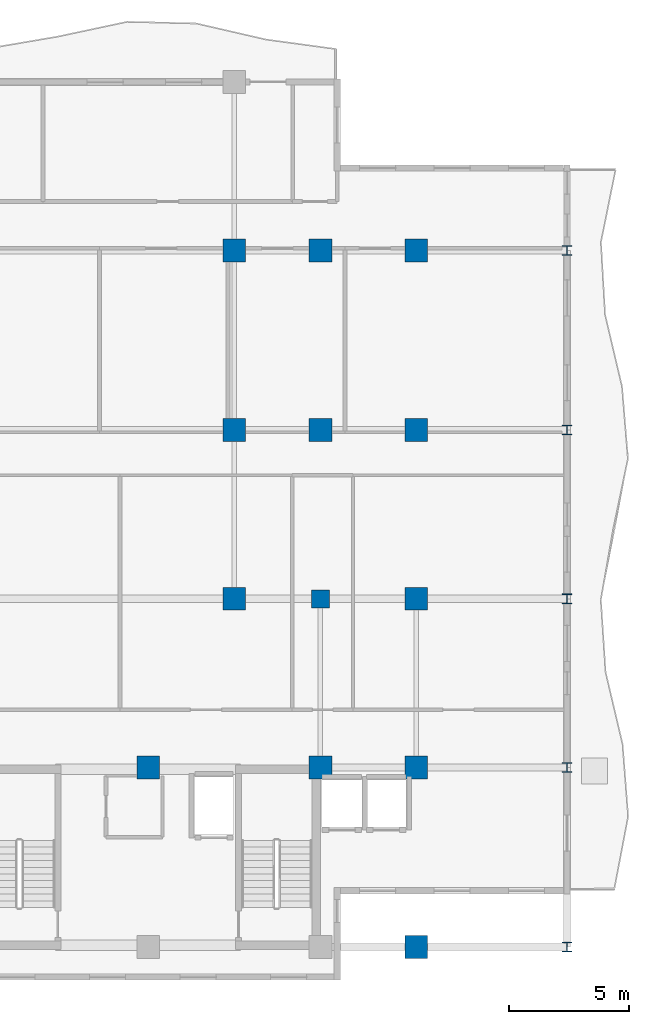
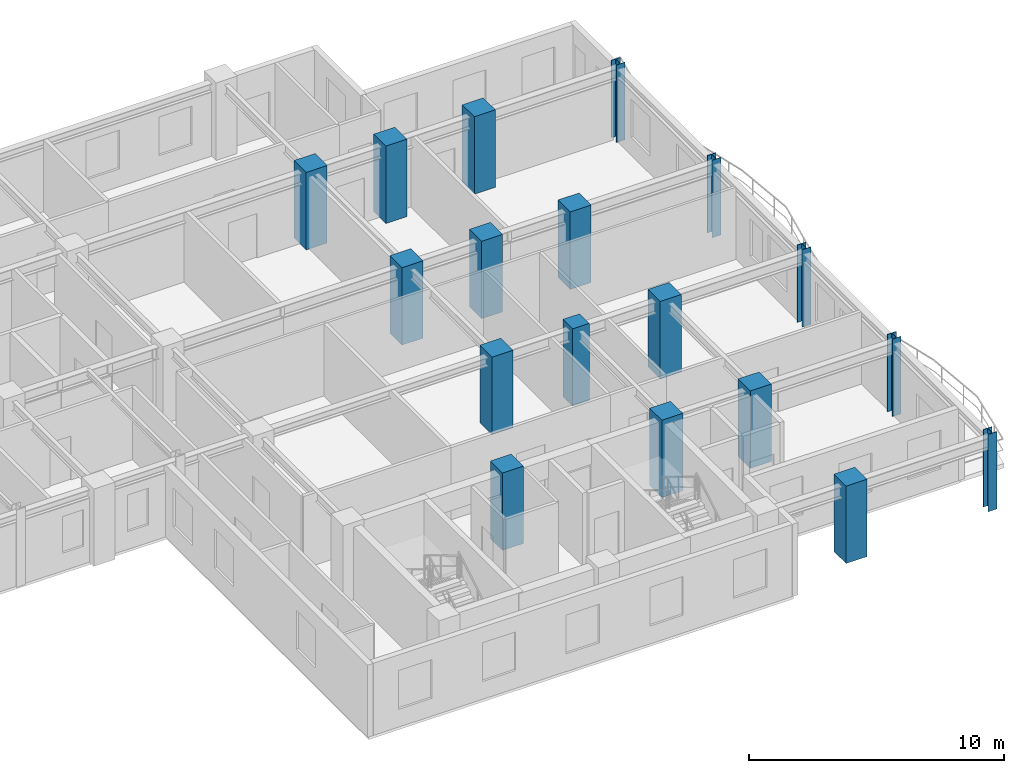
# One storey, part 2 of 13: 18 columns.
"""IFC4 building model written with IfcOpenShell, lengths in metres."""

from ifc_helpers import new_model, si_unit, direction, frame, origin, origin_2d, place, context, subcontext, project, spatial, rectangle, i_section, extrude, source, transform, mapped, material, material_profile, profile_set, type_object, element, save


model = new_model("IFC4")

# Units and contexts
model_context = context("Model", 3, precision=1e-05, world=origin(), true_north=direction((0.0, 1.0)))
body_context = subcontext(model_context, "Body", "Model", "MODEL_VIEW")
ifc_project = project(units=[si_unit("LENGTHUNIT", "METRE"), si_unit("AREAUNIT", "SQUARE_METRE"), si_unit("VOLUMEUNIT", "CUBIC_METRE"), si_unit("PLANEANGLEUNIT", "RADIAN"), si_unit("MASSUNIT", "GRAM", prefix="KILO")], contexts=[model_context])

# Site, building, storey
site_placement = place(None, origin())
site = spatial("IfcSite", under=ifc_project, at=site_placement, CompositionType="ELEMENT")
building_placement = place(site_placement, origin())
building = spatial("IfcBuilding", under=site, at=building_placement, Name="Kaliganga Portal Commons", CompositionType="ELEMENT")
storey_placement = place(building_placement, frame((0.0, 0.0, 224.0)))
storey = spatial("IfcBuildingStorey", under=building, at=storey_placement, Name="L57", CompositionType="ELEMENT", Elevation=224.0)

# Columns
ifc_material_1 = material(Name="Concrete C60/75", Category="concrete")
ifc_material_profile_1 = material_profile(ifc_material_1, rectangle(XDim=0.75, YDim=0.75, at=origin_2d()), Name="RC 750x750")
ifc_profile_set_1 = profile_set([ifc_material_profile_1], Name="Concrete C60/75")
column_type_1 = type_object("IfcColumnType", Name="COL-PILASTER-RC", PredefinedType="PILASTER", material=ifc_profile_set_1)
shared_shape_1 = source(origin(), body_context, "Body", "SweptSolid", [
    extrude(rectangle(XDim=0.75, YDim=0.75, at=origin_2d()), origin(), (0.0, 0.0, 1.0), 3.699951171875),
])
column_placement = place(storey_placement, frame((50.39990234375, 21.60009765625, 0.0), z_axis=(0.0, 0.0, 1.0), x_axis=(1.0, 0.0, 0.0)))
element("IfcColumn", 1, at=column_placement, inside=storey, type_object=column_type_1, Name="Column CP-01 L57", PredefinedType="PILASTER", context=body_context, shape_type="MappedRepresentation", body=[
    mapped(shared_shape_1, transform((0.0, 0.0, 0.0), x_axis=(1.0, 0.0, 0.0), y_axis=(0.0, 1.0, 0.0), z_axis=(0.0, 0.0, 1.0), scale=1.0)),
])
ifc_material_2 = material(Name="Concrete C50/60", Category="concrete")
ifc_material_profile_2 = material_profile(ifc_material_2, rectangle(XDim=0.949951171875, YDim=0.949951171875, at=origin_2d()), Name="RC 950x950")
ifc_profile_set_2 = profile_set([ifc_material_profile_2], Name="Concrete C50/60")
column_type_2 = type_object("IfcColumnType", Name="COL-MEGA-Z4", PredefinedType="COLUMN", material=ifc_profile_set_2)
shared_shape_2 = source(origin(), body_context, "Body", "SweptSolid", [
    extrude(rectangle(XDim=0.949951171875, YDim=0.949951171875, at=origin_2d()), origin(), (0.0, 0.0, 1.0), 3.699951171875),
])
for number, where, z_axis, x_axis, name in (
    (2, (46.800048828125, 21.60009765625, 0.0), (0.0, 0.0, 1.0), (1.0, 0.0, 0.0), "Column MC-05 L57"),
    (3, (46.800048828125, 28.64990234375, 0.0), (0.0, 0.0, 1.0), (1.0, 0.0, 0.0), "Column MC-05 L57"),
    (4, (46.800048828125, 36.14990234375, 0.0), (0.0, 0.0, 1.0), (1.0, 0.0, 0.0), "Column MC-05 L57"),
    (5, (43.199951171875, 14.550048828125, 0.0), (0.0, 0.0, 1.0), (1.0, 0.0, 0.0), "Column MC-05 L57"),
    (6, (50.39990234375, 14.550048828125, 0.0), (0.0, 0.0, 1.0), (1.0, 0.0, 0.0), "Column MC-05 L57"),
    (7, (50.39990234375, 28.64990234375, 0.0), (0.0, 0.0, 1.0), (1.0, 0.0, 0.0), "Column MC-05 L57"),
    (8, (50.39990234375, 36.14990234375, 0.0), (0.0, 0.0, 1.0), (1.0, 0.0, 0.0), "Column MC-05 L57"),
    (9, (54.39990234375, 7.050048828125, 0.0), (0.0, 0.0, 1.0), (1.0, 0.0, 0.0), "Column MC-05 L57"),
    (10, (54.39990234375, 14.550048828125, 0.0), (0.0, 0.0, 1.0), (1.0, 0.0, 0.0), "Column MC-05 L57"),
    (11, (54.39990234375, 21.60009765625, 0.0), (0.0, 0.0, 1.0), (1.0, 0.0, 0.0), "Column MC-05 L57"),
    (12, (54.39990234375, 28.64990234375, 0.0), (0.0, 0.0, 1.0), (1.0, 0.0, 0.0), "Column MC-05 L57"),
    (13, (54.39990234375, 36.14990234375, 0.0), (0.0, 0.0, 1.0), (1.0, 0.0, 0.0), "Column MC-05 L57"),
):
    element("IfcColumn", number, at=place(storey_placement, frame(where, z_axis=z_axis, x_axis=x_axis)), inside=storey, type_object=column_type_2, Name=name, PredefinedType="COLUMN", context=body_context, shape_type="MappedRepresentation", body=[
        mapped(shared_shape_2, transform((0.0, 0.0, 0.0), x_axis=(1.0, 0.0, 0.0), y_axis=(0.0, 1.0, 0.0), z_axis=(0.0, 0.0, 1.0), scale=1.0)),
    ])
ifc_material_3 = material(Name="Structural steel S355J2", Category="steel")
ifc_material_profile_3 = material_profile(ifc_material_3, i_section(OverallWidth=0.39892578125, OverallDepth=0.39990234375, WebThickness=0.017333984375, FlangeThickness=0.0234375, FilletRadius=0.014892578125, at=origin_2d()), Name="HD 400x287")
ifc_profile_set_3 = profile_set([ifc_material_profile_3], Name="Structural steel S355J2 wide-flange")
column_type_3 = type_object("IfcColumnType", Name="COL-TUBE-B4", PredefinedType="COLUMN", material=ifc_profile_set_3)
shared_shape_3 = source(origin(), body_context, "Body", "SweptSolid", [
    extrude(i_section(OverallWidth=0.39892578125, OverallDepth=0.39990234375, WebThickness=0.017333984375, FlangeThickness=0.0234375, FilletRadius=0.014892578125, at=origin_2d()), origin(), (0.0, 0.0, 1.0), 3.699951171875),
])
for number, where, z_axis, x_axis, name in (
    (14, (60.699951171875, 7.050048828125, 0.0), (0.0, 0.0, 1.0), (1.0, 0.0, 0.0), "Column TC-04 L57"),
    (15, (60.699951171875, 14.550048828125, 0.0), (0.0, 0.0, 1.0), (1.0, 0.0, 0.0), "Column TC-04 L57"),
    (16, (60.699951171875, 21.60009765625, 0.0), (0.0, 0.0, 1.0), (1.0, 0.0, 0.0), "Column TC-04 L57"),
    (17, (60.699951171875, 28.64990234375, 0.0), (0.0, 0.0, 1.0), (1.0, 0.0, 0.0), "Column TC-04 L57"),
    (18, (60.699951171875, 36.14990234375, 0.0), (0.0, 0.0, 1.0), (1.0, 0.0, 0.0), "Column TC-04 L57"),
):
    element("IfcColumn", number, at=place(storey_placement, frame(where, z_axis=z_axis, x_axis=x_axis)), inside=storey, type_object=column_type_3, Name=name, PredefinedType="COLUMN", context=body_context, shape_type="MappedRepresentation", body=[
        mapped(shared_shape_3, transform((0.0, 0.0, 0.0), x_axis=(1.0, 0.0, 0.0), y_axis=(0.0, 1.0, 0.0), z_axis=(0.0, 0.0, 1.0), scale=1.0)),
    ])

save(model, "model.ifc")
